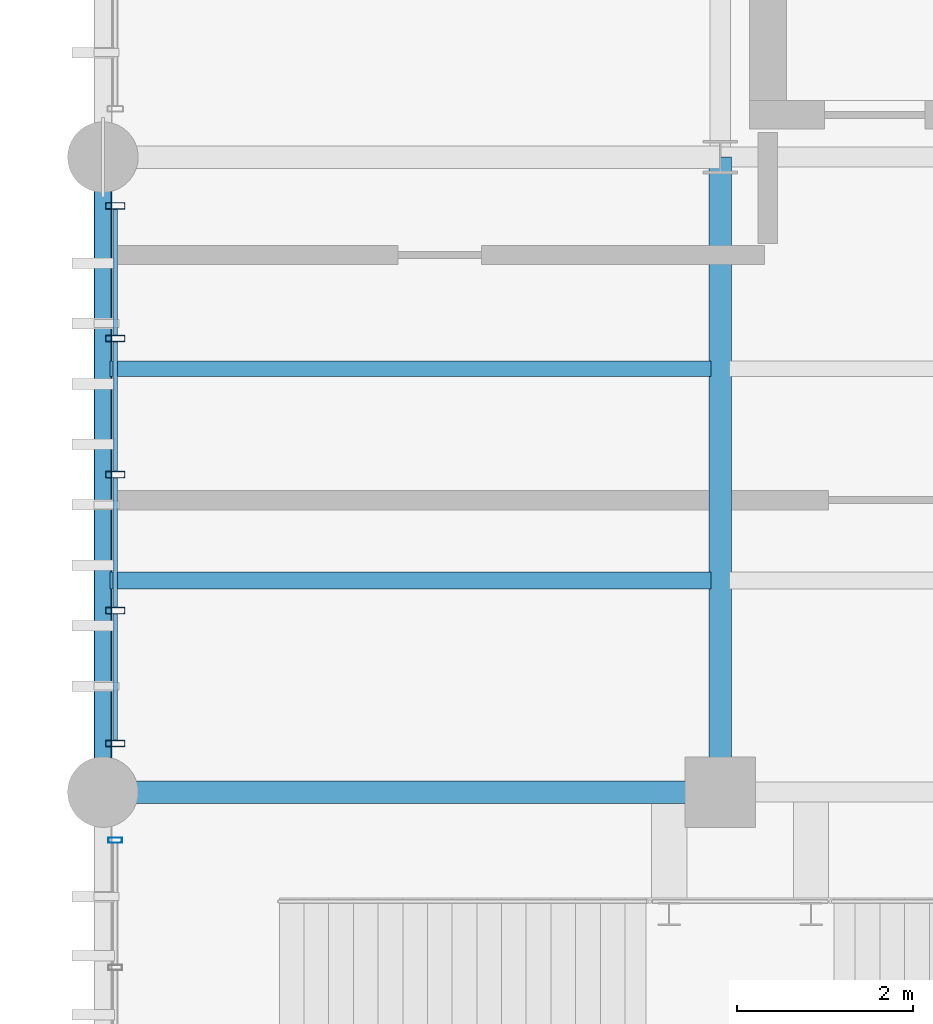
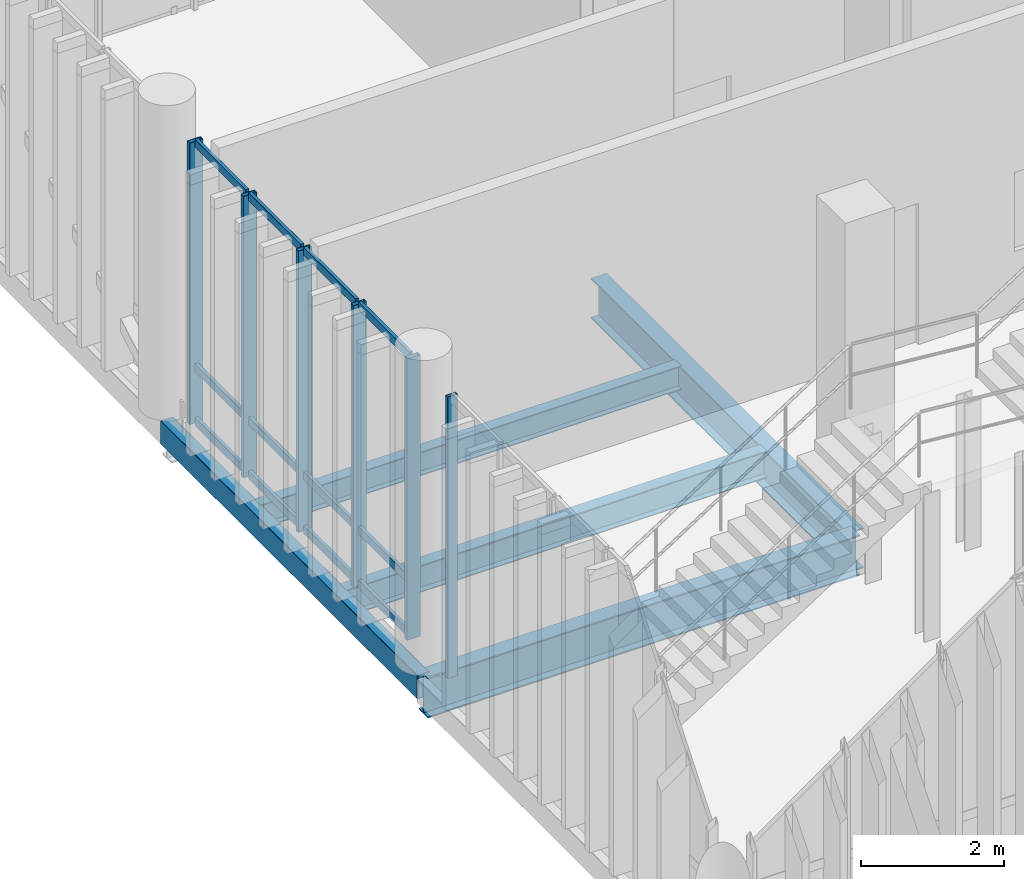
# One storey, part 28 of 128: 18 members, 5 beams, 2 elements without a shape of their own.
"""IFC4 building model written with IfcOpenShell, lengths in metres."""

from ifc_helpers import new_model, si_unit, direction, frame, origin_with_axes, origin_2d_with_axis, place, context, subcontext, project, spatial, hollow_rectangle, i_section, extrude, material, material_profile, profile_set, type_object, element, aggregate, save


model = new_model("IFC4")

# Units and contexts
model_context = context("Model", 3, precision=1e-05, world=origin_with_axes(), true_north=direction((0.0, 1.0)))
body_context = subcontext(model_context, "Body", "Model", "MODEL_VIEW")
ifc_project = project(units=[si_unit("LENGTHUNIT", "METRE"), si_unit("AREAUNIT", "SQUARE_METRE"), si_unit("VOLUMEUNIT", "CUBIC_METRE"), si_unit("PLANEANGLEUNIT", "RADIAN"), si_unit("MASSUNIT", "GRAM", prefix="KILO"), si_unit("THERMODYNAMICTEMPERATUREUNIT", "KELVIN")], contexts=[model_context])

# Site, building, storey
site_placement = place(None, origin_with_axes())
site = spatial("IfcSite", under=ifc_project, at=site_placement, CompositionType="ELEMENT")
building_placement = place(site_placement, origin_with_axes())
building = spatial("IfcBuilding", under=site, at=building_placement, Name="Montbau Bow Law Courts", CompositionType="ELEMENT")
storey_placement = place(building_placement, frame((0.0, 0.0, 5.4), z_axis=(0.0, 0.0, 1.0), x_axis=(1.0, 0.0, 0.0)))
storey = spatial("IfcBuildingStorey", under=building, at=storey_placement, Name="L01", CompositionType="ELEMENT", Elevation=5.4)

# Beams
ifc_material_1 = material(Name="Steel CSA G40.21 Grade 350W (350 MPa)", Category="steel")
ifc_material_profile_1 = material_profile(ifc_material_1, i_section(OverallWidth=0.254, OverallDepth=0.688, WebThickness=0.0131, FlangeThickness=0.0211, at=origin_2d_with_axis()), Name="W690X152", Category="Main", Priority=0)
ifc_profile_set_1 = profile_set([ifc_material_profile_1], Name="Steel CSA G40.21 Grade 350W (350 MPa)")
beam_type_1 = type_object("IfcBeamType", Name="B-FLR-04", PredefinedType="BEAM", material=ifc_profile_set_1)
beam_1_placement = place(None, frame((6.8, 39.0, 4.816), z_axis=(1.0, 0.0, 0.0), x_axis=(0.0, 1.0, 0.0)))
element("IfcBeam", 1, at=beam_1_placement, inside=storey, type_object=beam_type_1, Name="BM-L01-S0519:bm2_0522", PredefinedType="BEAM", context=body_context, shape_type="SweptSolid", body=[
    extrude(i_section(OverallWidth=0.254, OverallDepth=0.688, WebThickness=0.0131, FlangeThickness=0.0211, at=origin_2d_with_axis()), origin_with_axes(), (0.0, 0.0, 1.0), 7.0),
])
beam_2_placement = place(None, frame((13.8, 39.0, 4.816), z_axis=(0.0, 1.0, 0.0), x_axis=(-1.0, 0.0, 0.0)))
element("IfcBeam", 2, at=beam_2_placement, inside=storey, type_object=beam_type_1, Name="BM-L01-S0537:bm2_0540", PredefinedType="BEAM", context=body_context, shape_type="SweptSolid", body=[
    extrude(i_section(OverallWidth=0.254, OverallDepth=0.688, WebThickness=0.0131, FlangeThickness=0.0211, at=origin_2d_with_axis()), origin_with_axes(), (0.0, 0.0, 1.0), 7.2),
])
ifc_material_profile_2 = material_profile(ifc_material_1, i_section(OverallWidth=0.191, OverallDepth=0.46, WebThickness=0.0099, FlangeThickness=0.016, at=origin_2d_with_axis()), Name="W460X82", Category="Main", Priority=0)
ifc_profile_set_2 = profile_set([ifc_material_profile_2], Name="Steel CSA G40.21 Grade 350W (350 MPa)")
beam_type_2 = type_object("IfcBeamType", Name="B-JST-01", PredefinedType="JOIST", material=ifc_profile_set_2)
beam_3_placement = place(None, frame((6.88, 41.4, 4.93), z_axis=(1.0, 0.0, 0.0), x_axis=(0.0, 1.0, 0.0)))
element("IfcBeam", 3, at=beam_3_placement, inside=storey, type_object=beam_type_2, Name="JST-L01-S0248:jst2_0248", PredefinedType="JOIST", context=body_context, shape_type="SweptSolid", body=[
    extrude(i_section(OverallWidth=0.191, OverallDepth=0.46, WebThickness=0.0099, FlangeThickness=0.016, at=origin_2d_with_axis()), origin_with_axes(), (0.0, 0.0, 1.0), 6.817),
])
ifc_material_profile_3 = material_profile(ifc_material_1, i_section(OverallWidth=0.179, OverallDepth=0.41, WebThickness=0.0088, FlangeThickness=0.0144, at=origin_2d_with_axis()), Name="W410X67", Category="Main", Priority=0)
ifc_profile_set_3 = profile_set([ifc_material_profile_3], Name="Steel CSA G40.21 Grade 350W (350 MPa)")
beam_type_3 = type_object("IfcBeamType", Name="B-JST-02", PredefinedType="JOIST", material=ifc_profile_set_3)
beam_4_placement = place(None, frame((6.88, 43.8, 4.955), z_axis=(1.0, 0.0, 0.0), x_axis=(0.0, 1.0, 0.0)))
element("IfcBeam", 4, at=beam_4_placement, inside=storey, type_object=beam_type_3, Name="JST-L01-S0249:jst2_0249", PredefinedType="JOIST", context=body_context, shape_type="SweptSolid", body=[
    extrude(i_section(OverallWidth=0.179, OverallDepth=0.41, WebThickness=0.0088, FlangeThickness=0.0144, at=origin_2d_with_axis()), origin_with_axes(), (0.0, 0.0, 1.0), 6.817),
])
ifc_material_2 = material(Name="Steel CSA G40.21 Grade 350WT (350 MPa)", Category="steel")
ifc_material_profile_4 = material_profile(ifc_material_2, hollow_rectangle(XDim=0.203, YDim=0.406, WallThickness=0.0127, InnerFilletRadius=0.0254, OuterFilletRadius=0.0127, at=origin_2d_with_axis()), Name="HSS406X203X13", Category="Main", Priority=0)
ifc_profile_set_4 = profile_set([ifc_material_profile_4], Name="Steel CSA G40.21 Grade 350WT (350 MPa)")
beam_type_4 = type_object("IfcBeamType", Name="B-SPN-01", PredefinedType="SPANDREL", material=ifc_profile_set_4)
beam_5_placement = place(None, frame((6.8, 39.0, 4.957), z_axis=(0.0, 1.0, 0.0), x_axis=(-1.0, 0.0, 0.0)))
element("IfcBeam", 5, at=beam_5_placement, inside=storey, type_object=beam_type_4, Name="SPN-L01-S0535:bm2_0538", PredefinedType="SPANDREL", context=body_context, shape_type="SweptSolid", body=[
    extrude(hollow_rectangle(XDim=0.203, YDim=0.406, WallThickness=0.0127, InnerFilletRadius=0.0254, OuterFilletRadius=0.0127, at=origin_2d_with_axis()), origin_with_axes(), (0.0, 0.0, 1.0), 7.2),
])

# Curtain wall, members
ifc_material_3 = material(Name="Thermally Broken Extruded Aluminium AA 6063-T6", Category="aluminium")
curtain_wall_type = type_object("IfcCurtainWallType", Name="CW-TRC-01", PredefinedType="NOTDEFINED", material=ifc_material_3)
curtain_wall_1_placement = place(None, frame((6.94, 39.515, 5.4), z_axis=(0.0, 0.0, 1.0), x_axis=(1.0, 0.0, 0.0)))
curtain_wall_1 = element("IfcCurtainWall", 6, at=curtain_wall_1_placement, inside=storey, type_object=curtain_wall_type, Name="CW-L01-027:cw_0027", PredefinedType="NOTDEFINED")
ifc_material_profile_5 = material_profile(ifc_material_3, hollow_rectangle(XDim=0.075, YDim=0.22, WallThickness=0.005, InnerFilletRadius=0.01, OuterFilletRadius=0.005, at=origin_2d_with_axis()), Name="CWM-220X75", Category="Main", Priority=0)
ifc_profile_set_5 = profile_set([ifc_material_profile_5], Name="Thermally Broken Extruded Aluminium AA 6063-T6")
member_type_1 = type_object("IfcMemberType", Name="M-MUL-01", PredefinedType="MULLION", material=ifc_profile_set_5)
member_1_placement = place(None, frame((6.94, 39.552, 5.4), z_axis=(0.0, 0.0, 1.0), x_axis=(0.0, 1.0, 0.0)))
member_1 = element("IfcMember", 7, at=member_1_placement, type_object=member_type_1, Name="CW-L01-027-M01:cw_0027_M01", PredefinedType="MULLION", context=body_context, shape_type="SweptSolid", body=[
    extrude(hollow_rectangle(XDim=0.075, YDim=0.22, WallThickness=0.005, InnerFilletRadius=0.01, OuterFilletRadius=0.005, at=origin_2d_with_axis()), origin_with_axes(), (0.0, 0.0, 1.0), 4.82),
])
member_2_placement = place(None, frame((6.94, 41.058, 5.4), z_axis=(0.0, 0.0, 1.0), x_axis=(0.0, 1.0, 0.0)))
member_2 = element("IfcMember", 8, at=member_2_placement, type_object=member_type_1, Name="CW-L01-027-M02:cw_0027_M02", PredefinedType="MULLION", context=body_context, shape_type="SweptSolid", body=[
    extrude(hollow_rectangle(XDim=0.075, YDim=0.22, WallThickness=0.005, InnerFilletRadius=0.01, OuterFilletRadius=0.005, at=origin_2d_with_axis()), origin_with_axes(), (0.0, 0.0, 1.0), 4.82),
])
member_3_placement = place(None, frame((6.94, 42.6, 5.4), z_axis=(0.0, 0.0, 1.0), x_axis=(0.0, 1.0, 0.0)))
member_3 = element("IfcMember", 9, at=member_3_placement, type_object=member_type_1, Name="CW-L01-027-M03:cw_0027_M03", PredefinedType="MULLION", context=body_context, shape_type="SweptSolid", body=[
    extrude(hollow_rectangle(XDim=0.075, YDim=0.22, WallThickness=0.005, InnerFilletRadius=0.01, OuterFilletRadius=0.005, at=origin_2d_with_axis()), origin_with_axes(), (0.0, 0.0, 1.0), 4.82),
])
member_4_placement = place(None, frame((6.94, 44.143, 5.4), z_axis=(0.0, 0.0, 1.0), x_axis=(0.0, 1.0, 0.0)))
member_4 = element("IfcMember", 10, at=member_4_placement, type_object=member_type_1, Name="CW-L01-027-M04:cw_0027_M04", PredefinedType="MULLION", context=body_context, shape_type="SweptSolid", body=[
    extrude(hollow_rectangle(XDim=0.075, YDim=0.22, WallThickness=0.005, InnerFilletRadius=0.01, OuterFilletRadius=0.005, at=origin_2d_with_axis()), origin_with_axes(), (0.0, 0.0, 1.0), 4.82),
])
member_5_placement = place(None, frame((6.94, 45.648, 5.4), z_axis=(0.0, 0.0, 1.0), x_axis=(0.0, 1.0, 0.0)))
member_5 = element("IfcMember", 11, at=member_5_placement, type_object=member_type_1, Name="CW-L01-027-M05:cw_0027_M05", PredefinedType="MULLION", context=body_context, shape_type="SweptSolid", body=[
    extrude(hollow_rectangle(XDim=0.075, YDim=0.22, WallThickness=0.005, InnerFilletRadius=0.01, OuterFilletRadius=0.005, at=origin_2d_with_axis()), origin_with_axes(), (0.0, 0.0, 1.0), 4.82),
])

# Curtain wall, member
curtain_wall_2_placement = place(None, frame((6.94, 31.115, 5.4), z_axis=(0.0, 0.0, 1.0), x_axis=(1.0, 0.0, 0.0)))
curtain_wall_2 = element("IfcCurtainWall", 12, at=curtain_wall_2_placement, inside=storey, type_object=curtain_wall_type, Name="CW-L01-026:cw_0026", PredefinedType="NOTDEFINED")
ifc_material_profile_6 = material_profile(ifc_material_3, hollow_rectangle(XDim=0.06, YDim=0.16, WallThickness=0.004, InnerFilletRadius=0.008, OuterFilletRadius=0.004, at=origin_2d_with_axis()), Name="CWM-160X60", Category="Main", Priority=0)
ifc_profile_set_6 = profile_set([ifc_material_profile_6], Name="Thermally Broken Extruded Aluminium AA 6063-T6")
member_type_2 = type_object("IfcMemberType", Name="M-MUL-03", PredefinedType="MULLION", material=ifc_profile_set_6)
member_6_placement = place(None, frame((6.94, 38.455, 5.4), z_axis=(0.0, 0.0, 1.0), x_axis=(0.0, 1.0, 0.0)))
member_6 = element("IfcMember", 13, at=member_6_placement, type_object=member_type_2, Name="CW-L01-026-M06:cw_0026_M06", PredefinedType="MULLION", context=body_context, shape_type="SweptSolid", body=[
    extrude(hollow_rectangle(XDim=0.06, YDim=0.16, WallThickness=0.004, InnerFilletRadius=0.008, OuterFilletRadius=0.004, at=origin_2d_with_axis()), origin_with_axes(), (0.0, 0.0, 1.0), 4.82),
])
aggregate(curtain_wall_2, [member_6])

# Member
ifc_material_profile_7 = material_profile(ifc_material_3, hollow_rectangle(XDim=0.055, YDim=0.14, WallThickness=0.004, InnerFilletRadius=0.008, OuterFilletRadius=0.004, at=origin_2d_with_axis()), Name="CWT-140X55", Category="Main", Priority=0)
ifc_profile_set_7 = profile_set([ifc_material_profile_7], Name="Thermally Broken Extruded Aluminium AA 6063-T6")
member_type_3 = type_object("IfcMemberType", Name="M-TRN-02", PredefinedType="USERDEFINED", material=ifc_profile_set_7)
member_7_placement = place(None, frame((6.94, 39.591, 5.428), z_axis=(0.0, 1.0, 0.0), x_axis=(-1.0, 0.0, 0.0)))
member_7 = element("IfcMember", 14, at=member_7_placement, type_object=member_type_3, Name="CW-L01-027-T01-1:cw_0027_T01_1", ObjectType="TRANSOM", PredefinedType="USERDEFINED", context=body_context, shape_type="SweptSolid", body=[
    extrude(hollow_rectangle(XDim=0.055, YDim=0.14, WallThickness=0.004, InnerFilletRadius=0.008, OuterFilletRadius=0.004, at=origin_2d_with_axis()), origin_with_axes(), (0.0, 0.0, 1.0), 1.427),
])

member_8_placement = place(None, frame((6.94, 39.591, 6.35), z_axis=(0.0, 1.0, 0.0), x_axis=(-1.0, 0.0, 0.0)))
member_8 = element("IfcMember", 15, at=member_8_placement, type_object=member_type_3, Name="CW-L01-027-T01-2:cw_0027_T01_2", ObjectType="TRANSOM", PredefinedType="USERDEFINED", context=body_context, shape_type="SweptSolid", body=[
    extrude(hollow_rectangle(XDim=0.055, YDim=0.14, WallThickness=0.004, InnerFilletRadius=0.008, OuterFilletRadius=0.004, at=origin_2d_with_axis()), origin_with_axes(), (0.0, 0.0, 1.0), 1.427),
])

member_9_placement = place(None, frame((6.94, 39.591, 10.193), z_axis=(0.0, 1.0, 0.0), x_axis=(-1.0, 0.0, 0.0)))
member_9 = element("IfcMember", 16, at=member_9_placement, type_object=member_type_3, Name="CW-L01-027-T01-3:cw_0027_T01_3", ObjectType="TRANSOM", PredefinedType="USERDEFINED", context=body_context, shape_type="SweptSolid", body=[
    extrude(hollow_rectangle(XDim=0.055, YDim=0.14, WallThickness=0.004, InnerFilletRadius=0.008, OuterFilletRadius=0.004, at=origin_2d_with_axis()), origin_with_axes(), (0.0, 0.0, 1.0), 1.427),
])

member_10_placement = place(None, frame((6.94, 41.098, 5.428), z_axis=(0.0, 1.0, 0.0), x_axis=(-1.0, 0.0, 0.0)))
member_10 = element("IfcMember", 17, at=member_10_placement, type_object=member_type_3, Name="CW-L01-027-T02-1:cw_0027_T02_1", ObjectType="TRANSOM", PredefinedType="USERDEFINED", context=body_context, shape_type="SweptSolid", body=[
    extrude(hollow_rectangle(XDim=0.055, YDim=0.14, WallThickness=0.004, InnerFilletRadius=0.008, OuterFilletRadius=0.004, at=origin_2d_with_axis()), origin_with_axes(), (0.0, 0.0, 1.0), 1.463),
])

member_11_placement = place(None, frame((6.94, 41.098, 6.35), z_axis=(0.0, 1.0, 0.0), x_axis=(-1.0, 0.0, 0.0)))
member_11 = element("IfcMember", 18, at=member_11_placement, type_object=member_type_3, Name="CW-L01-027-T02-2:cw_0027_T02_2", ObjectType="TRANSOM", PredefinedType="USERDEFINED", context=body_context, shape_type="SweptSolid", body=[
    extrude(hollow_rectangle(XDim=0.055, YDim=0.14, WallThickness=0.004, InnerFilletRadius=0.008, OuterFilletRadius=0.004, at=origin_2d_with_axis()), origin_with_axes(), (0.0, 0.0, 1.0), 1.463),
])

member_12_placement = place(None, frame((6.94, 41.098, 10.193), z_axis=(0.0, 1.0, 0.0), x_axis=(-1.0, 0.0, 0.0)))
member_12 = element("IfcMember", 19, at=member_12_placement, type_object=member_type_3, Name="CW-L01-027-T02-3:cw_0027_T02_3", ObjectType="TRANSOM", PredefinedType="USERDEFINED", context=body_context, shape_type="SweptSolid", body=[
    extrude(hollow_rectangle(XDim=0.055, YDim=0.14, WallThickness=0.004, InnerFilletRadius=0.008, OuterFilletRadius=0.004, at=origin_2d_with_axis()), origin_with_axes(), (0.0, 0.0, 1.0), 1.463),
])

member_13_placement = place(None, frame((6.94, 42.639, 5.428), z_axis=(0.0, 1.0, 0.0), x_axis=(-1.0, 0.0, 0.0)))
member_13 = element("IfcMember", 20, at=member_13_placement, type_object=member_type_3, Name="CW-L01-027-T03-1:cw_0027_T03_1", ObjectType="TRANSOM", PredefinedType="USERDEFINED", context=body_context, shape_type="SweptSolid", body=[
    extrude(hollow_rectangle(XDim=0.055, YDim=0.14, WallThickness=0.004, InnerFilletRadius=0.008, OuterFilletRadius=0.004, at=origin_2d_with_axis()), origin_with_axes(), (0.0, 0.0, 1.0), 1.465),
])

member_14_placement = place(None, frame((6.94, 42.639, 6.35), z_axis=(0.0, 1.0, 0.0), x_axis=(-1.0, 0.0, 0.0)))
member_14 = element("IfcMember", 21, at=member_14_placement, type_object=member_type_3, Name="CW-L01-027-T03-2:cw_0027_T03_2", ObjectType="TRANSOM", PredefinedType="USERDEFINED", context=body_context, shape_type="SweptSolid", body=[
    extrude(hollow_rectangle(XDim=0.055, YDim=0.14, WallThickness=0.004, InnerFilletRadius=0.008, OuterFilletRadius=0.004, at=origin_2d_with_axis()), origin_with_axes(), (0.0, 0.0, 1.0), 1.465),
])

member_15_placement = place(None, frame((6.94, 42.639, 10.193), z_axis=(0.0, 1.0, 0.0), x_axis=(-1.0, 0.0, 0.0)))
member_15 = element("IfcMember", 22, at=member_15_placement, type_object=member_type_3, Name="CW-L01-027-T03-3:cw_0027_T03_3", ObjectType="TRANSOM", PredefinedType="USERDEFINED", context=body_context, shape_type="SweptSolid", body=[
    extrude(hollow_rectangle(XDim=0.055, YDim=0.14, WallThickness=0.004, InnerFilletRadius=0.008, OuterFilletRadius=0.004, at=origin_2d_with_axis()), origin_with_axes(), (0.0, 0.0, 1.0), 1.465),
])

member_16_placement = place(None, frame((6.94, 44.182, 5.428), z_axis=(0.0, 1.0, 0.0), x_axis=(-1.0, 0.0, 0.0)))
member_16 = element("IfcMember", 23, at=member_16_placement, type_object=member_type_3, Name="CW-L01-027-T04-1:cw_0027_T04_1", ObjectType="TRANSOM", PredefinedType="USERDEFINED", context=body_context, shape_type="SweptSolid", body=[
    extrude(hollow_rectangle(XDim=0.055, YDim=0.14, WallThickness=0.004, InnerFilletRadius=0.008, OuterFilletRadius=0.004, at=origin_2d_with_axis()), origin_with_axes(), (0.0, 0.0, 1.0), 1.427),
])

member_17_placement = place(None, frame((6.94, 44.182, 6.35), z_axis=(0.0, 1.0, 0.0), x_axis=(-1.0, 0.0, 0.0)))
member_17 = element("IfcMember", 24, at=member_17_placement, type_object=member_type_3, Name="CW-L01-027-T04-2:cw_0027_T04_2", ObjectType="TRANSOM", PredefinedType="USERDEFINED", context=body_context, shape_type="SweptSolid", body=[
    extrude(hollow_rectangle(XDim=0.055, YDim=0.14, WallThickness=0.004, InnerFilletRadius=0.008, OuterFilletRadius=0.004, at=origin_2d_with_axis()), origin_with_axes(), (0.0, 0.0, 1.0), 1.427),
])

member_18_placement = place(None, frame((6.94, 44.182, 10.193), z_axis=(0.0, 1.0, 0.0), x_axis=(-1.0, 0.0, 0.0)))
member_18 = element("IfcMember", 25, at=member_18_placement, type_object=member_type_3, Name="CW-L01-027-T04-3:cw_0027_T04_3", ObjectType="TRANSOM", PredefinedType="USERDEFINED", context=body_context, shape_type="SweptSolid", body=[
    extrude(hollow_rectangle(XDim=0.055, YDim=0.14, WallThickness=0.004, InnerFilletRadius=0.008, OuterFilletRadius=0.004, at=origin_2d_with_axis()), origin_with_axes(), (0.0, 0.0, 1.0), 1.427),
])

aggregate(curtain_wall_1, [member_1, member_2, member_3, member_4, member_5, member_7, member_8, member_9, member_10, member_11, member_12, member_13, member_14, member_15, member_16, member_17, member_18])

save(model, "model.ifc")
